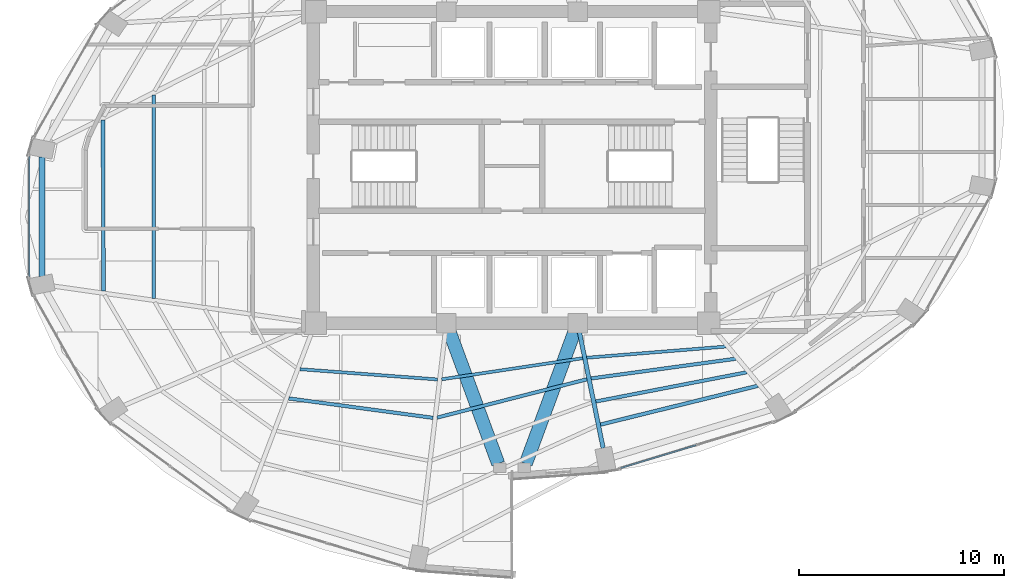
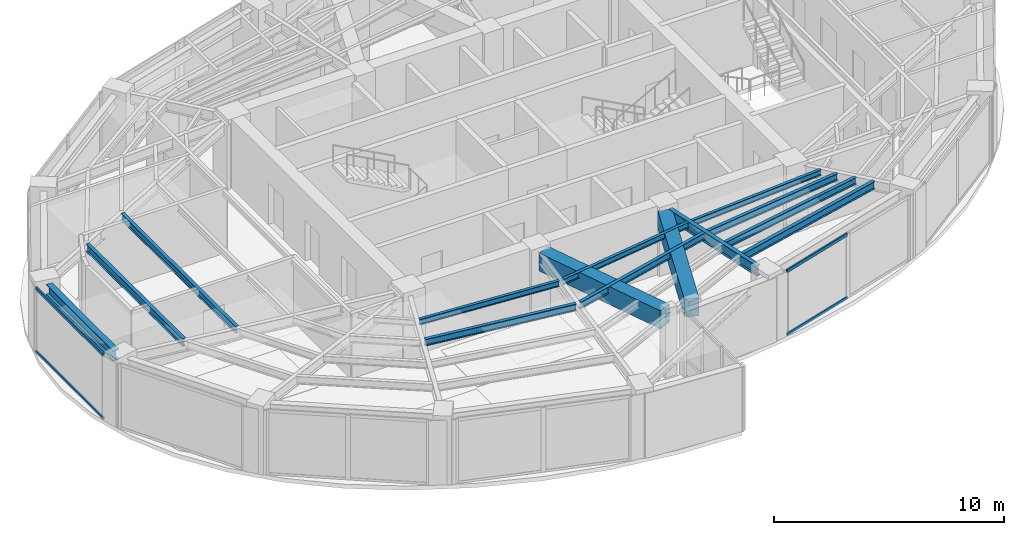
# One storey, part 5 of 20: 14 beams, 4 members, 2 elements without a shape of their own.
"""IFC4 building model written with IfcOpenShell, lengths in metres."""

from ifc_helpers import new_model, si_unit, direction, frame, origin, origin_2d, place, context, subcontext, project, spatial, rectangle, hollow_rectangle, i_section, extrude, material, layer, layer_set, material_profile, profile_set, type_object, element, aggregate, save


model = new_model("IFC4")

# Units and contexts
model_context = context("Model", 3, precision=1e-05, world=origin(), true_north=direction((0.0, 1.0)))
body_context = subcontext(model_context, "Body", "Model", "MODEL_VIEW")
ifc_project = project(units=[si_unit("LENGTHUNIT", "METRE"), si_unit("AREAUNIT", "SQUARE_METRE"), si_unit("VOLUMEUNIT", "CUBIC_METRE"), si_unit("PLANEANGLEUNIT", "RADIAN"), si_unit("MASSUNIT", "GRAM", prefix="KILO")], contexts=[model_context])

# Site, building, storey
site_placement = place(None, origin())
site = spatial("IfcSite", under=ifc_project, at=site_placement, CompositionType="ELEMENT")
building_placement = place(site_placement, origin())
building = spatial("IfcBuilding", under=site, at=building_placement, Name="Lazwardi Medical Tower", CompositionType="ELEMENT")
storey_placement = place(building_placement, frame((0.0, 0.0, 156.528076171875)))
storey = spatial("IfcBuildingStorey", under=building, at=storey_placement, Name="L40", CompositionType="ELEMENT", Elevation=156.528076171875)

# Beams
ifc_material_1 = material(Name="Concrete C60/75", Category="concrete")
ifc_material_profile_1 = material_profile(ifc_material_1, rectangle(XDim=0.64990234375, YDim=0.949951171875, at=origin_2d()), Name="RC 650x950")
ifc_profile_set_1 = profile_set([ifc_material_profile_1], Name="Concrete C60/75")
beam_type_1 = type_object("IfcBeamType", Name="BM-CB-RC2", PredefinedType="LINTEL", material=ifc_profile_set_1)
for number, where, z_axis, x_axis, name in (
    (1, (32.959228515625, 19.968505859375, 2.952880859375), (0.34601281054, -0.938229787921, 0.0), (0.938229787921, 0.34601281054, 0.0), "Core coupling lintel CB-02 PL3 L40"),
    (2, (39.040771484375, 19.968505859375, 2.952880859375), (-0.34601281054, -0.938229787921, 0.0), (0.938229787921, -0.34601281054, 0.0), "Core coupling lintel CB-02 PL4 L40"),
):
    element("IfcBeam", number, at=place(storey_placement, frame(where, z_axis=z_axis, x_axis=x_axis)), inside=storey, type_object=beam_type_1, Name=name, PredefinedType="LINTEL", context=body_context, shape_type="SweptSolid", body=[
        extrude(rectangle(XDim=0.64990234375, YDim=0.949951171875, at=origin_2d()), origin(), (0.0, 0.0, 1.0), 6.84423828125),
    ])
ifc_material_2 = material(Name="Steel S355", Category="steel")
ifc_material_profile_2 = material_profile(ifc_material_2, i_section(OverallWidth=0.300048828125, OverallDepth=0.550048828125, WebThickness=0.014892578125, FlangeThickness=0.029052734375, at=origin_2d()), Name="HEB 550")
ifc_profile_set_2 = profile_set([ifc_material_profile_2], Name="Steel S355")
beam_type_2 = type_object("IfcBeamType", Name="BM-RB-Z3", PredefinedType="BEAM", material=ifc_profile_set_2)
beam_1_placement = place(storey_placement, frame((13.07421875, 28.51171875, 3.15283203125), z_axis=(0.0, -1.0, 0.0), x_axis=(1.0, 0.0, 0.0)))
element("IfcBeam", 3, at=beam_1_placement, inside=storey, type_object=beam_type_2, Name="Ring beam RB-04 B12 L40", PredefinedType="BEAM", context=body_context, shape_type="SweptSolid", body=[
    extrude(i_section(OverallWidth=0.300048828125, OverallDepth=0.550048828125, WebThickness=0.014892578125, FlangeThickness=0.029052734375, at=origin_2d()), origin(), (0.0, 0.0, 1.0), 5.823486328125),
])
ifc_material_profile_3 = material_profile(ifc_material_2, i_section(OverallWidth=0.2099609375, OverallDepth=0.550048828125, WebThickness=0.010986328125, FlangeThickness=0.01708984375, at=origin_2d()), Name="IPE 550")
ifc_profile_set_3 = profile_set([ifc_material_profile_3], Name="Steel S355")
beam_type_3 = type_object("IfcBeamType", Name="BM-RG-W2", PredefinedType="BEAM", material=ifc_profile_set_3)
beam_2_placement = place(storey_placement, frame((40.447998046875, 14.2998046875, 3.15283203125), z_axis=(-0.200429485343, 0.979708130723, 0.0), x_axis=(-0.979708130723, -0.200429485343, 0.0)))
element("IfcBeam", 4, at=beam_2_placement, inside=storey, type_object=beam_type_3, Name="Radial girder RG-03 R01 L40", PredefinedType="BEAM", context=body_context, shape_type="SweptSolid", body=[
    extrude(i_section(OverallWidth=0.2099609375, OverallDepth=0.550048828125, WebThickness=0.010986328125, FlangeThickness=0.01708984375, at=origin_2d()), origin(), (0.0, 0.0, 1.0), 5.766357421875),
])
ifc_material_profile_4 = material_profile(ifc_material_2, i_section(OverallWidth=0.179931640625, OverallDepth=0.39990234375, WebThickness=0.008544921875, FlangeThickness=0.013427734375, at=origin_2d()), Name="IPE 400")
ifc_profile_set_4 = profile_set([ifc_material_profile_4], Name="Steel S355")
beam_type_4 = type_object("IfcBeamType", Name="BM-SJ-01", PredefinedType="JOIST", material=ifc_profile_set_4)
beam_3_placement = place(storey_placement, frame((40.31396484375, 15.45361328125, 3.22802734375), z_axis=(0.970912648168, 0.239433977597, 0.0), x_axis=(-0.239433977597, 0.970912648168, 0.0)))
element("IfcBeam", 5, at=beam_3_placement, inside=storey, type_object=beam_type_4, Name="Secondary joist SJ-01 R1 B01 L40", PredefinedType="JOIST", context=body_context, shape_type="SweptSolid", body=[
    extrude(i_section(OverallWidth=0.179931640625, OverallDepth=0.39990234375, WebThickness=0.008544921875, FlangeThickness=0.013427734375, at=origin_2d()), origin(), (0.0, 0.0, 1.0), 7.91162109375),
])
beam_4_placement = place(storey_placement, frame((16.04443359375, 30.30224609375, 3.22802734375), z_axis=(0.003864366017, -0.99999253331, 0.0), x_axis=(0.99999253331, 0.003864366017, 0.0)))
element("IfcBeam", 6, at=beam_4_placement, inside=storey, type_object=beam_type_4, Name="Secondary joist SJ-01 R1 B12 L40", PredefinedType="JOIST", context=body_context, shape_type="SweptSolid", body=[
    extrude(i_section(OverallWidth=0.179931640625, OverallDepth=0.39990234375, WebThickness=0.008544921875, FlangeThickness=0.013427734375, at=origin_2d()), origin(), (0.0, 0.0, 1.0), 8.33935546875),
])
ifc_material_profile_5 = material_profile(ifc_material_2, i_section(OverallWidth=0.169921875, OverallDepth=0.360107421875, WebThickness=0.008056640625, FlangeThickness=0.0126953125, at=origin_2d()), Name="IPE 360")
ifc_profile_set_5 = profile_set([ifc_material_profile_5], Name="Steel S355")
beam_type_5 = type_object("IfcBeamType", Name="BM-SJ-02", PredefinedType="JOIST", material=ifc_profile_set_5)
beam_5_placement = place(storey_placement, frame((40.083984375, 16.57861328125, 3.247802734375), z_axis=(0.981753035865, 0.190160396953, 0.0), x_axis=(-0.190160396953, 0.981753035865, 0.0)))
element("IfcBeam", 7, at=beam_5_placement, inside=storey, type_object=beam_type_5, Name="Secondary joist SJ-02 R2 B01 L40", PredefinedType="JOIST", context=body_context, shape_type="SweptSolid", body=[
    extrude(i_section(OverallWidth=0.169921875, OverallDepth=0.360107421875, WebThickness=0.008056640625, FlangeThickness=0.0126953125, at=origin_2d()), origin(), (0.0, 0.0, 1.0), 7.50927734375),
])
beam_6_placement = place(storey_placement, frame((18.513671875, 31.541748046875, 3.247802734375), z_axis=(0.001156040156, -0.999999331785, 0.0), x_axis=(0.999999331785, 0.001156040156, 0.0)))
element("IfcBeam", 8, at=beam_6_placement, inside=storey, type_object=beam_type_5, Name="Secondary joist SJ-02 R2 B12 L40", PredefinedType="JOIST", context=body_context, shape_type="SweptSolid", body=[
    extrude(i_section(OverallWidth=0.169921875, OverallDepth=0.360107421875, WebThickness=0.008056640625, FlangeThickness=0.0126953125, at=origin_2d()), origin(), (0.0, 0.0, 1.0), 9.92578125),
])
beam_7_placement = place(storey_placement, frame((39.853515625, 17.702880859375, 3.247802734375), z_axis=(0.990832043476, 0.135099450852, 0.0), x_axis=(-0.135099450852, 0.990832043476, 0.0)))
element("IfcBeam", 9, at=beam_7_placement, inside=storey, type_object=beam_type_5, Name="Secondary joist SJ-02 R3 B01 L40", PredefinedType="JOIST", context=body_context, shape_type="SweptSolid", body=[
    extrude(i_section(OverallWidth=0.169921875, OverallDepth=0.360107421875, WebThickness=0.008056640625, FlangeThickness=0.0126953125, at=origin_2d()), origin(), (0.0, 0.0, 1.0), 7.129150390625),
])
beam_8_placement = place(storey_placement, frame((25.110107421875, 16.730224609375, 3.247802734375), z_axis=(0.991056291961, -0.133444468468, 0.0), x_axis=(0.133444468468, 0.991056291961, 0.0)))
element("IfcBeam", 10, at=beam_8_placement, inside=storey, type_object=beam_type_5, Name="Secondary joist SJ-02 R3 B15 L40", PredefinedType="JOIST", context=body_context, shape_type="SweptSolid", body=[
    extrude(i_section(OverallWidth=0.169921875, OverallDepth=0.360107421875, WebThickness=0.008056640625, FlangeThickness=0.0126953125, at=origin_2d()), origin(), (0.0, 0.0, 1.0), 7.10400390625),
])
beam_9_placement = place(storey_placement, frame((32.3466796875, 15.793701171875, 3.247802734375), z_axis=(0.96877632572, 0.247936344097, 0.0), x_axis=(-0.247936344097, 0.96877632572, 0.0)))
element("IfcBeam", 11, at=beam_9_placement, inside=storey, type_object=beam_type_5, Name="Secondary joist SJ-02 R3 B16 L40", PredefinedType="JOIST", context=body_context, shape_type="SweptSolid", body=[
    extrude(i_section(OverallWidth=0.169921875, OverallDepth=0.360107421875, WebThickness=0.008056640625, FlangeThickness=0.0126953125, at=origin_2d()), origin(), (0.0, 0.0, 1.0), 7.546630859375),
])
ifc_material_profile_6 = material_profile(ifc_material_2, i_section(OverallWidth=0.14990234375, OverallDepth=0.300048828125, WebThickness=0.007080078125, FlangeThickness=0.0107421875, at=origin_2d()), Name="IPE 300")
ifc_profile_set_6 = profile_set([ifc_material_profile_6], Name="Steel S355")
beam_type_6 = type_object("IfcBeamType", Name="BM-SJ-03", PredefinedType="JOIST", material=ifc_profile_set_6)
beam_10_placement = place(storey_placement, frame((39.646240234375, 18.71435546875, 3.27783203125), z_axis=(0.996785792338, 0.08011294647, 0.0), x_axis=(-0.08011294647, 0.996785792338, 0.0)))
element("IfcBeam", 12, at=beam_10_placement, inside=storey, type_object=beam_type_6, Name="Secondary joist SJ-03 R4 B01 L40", PredefinedType="JOIST", context=body_context, shape_type="SweptSolid", body=[
    extrude(i_section(OverallWidth=0.14990234375, OverallDepth=0.300048828125, WebThickness=0.007080078125, FlangeThickness=0.0107421875, at=origin_2d()), origin(), (0.0, 0.0, 1.0), 6.80810546875),
])
beam_11_placement = place(storey_placement, frame((25.650390625, 18.156494140625, 3.27783203125), z_axis=(0.99722699261, -0.074419924822, 0.0), x_axis=(0.074419924822, 0.99722699261, 0.0)))
element("IfcBeam", 13, at=beam_11_placement, inside=storey, type_object=beam_type_6, Name="Secondary joist SJ-03 R4 B15 L40", PredefinedType="JOIST", context=body_context, shape_type="SweptSolid", body=[
    extrude(i_section(OverallWidth=0.14990234375, OverallDepth=0.300048828125, WebThickness=0.007080078125, FlangeThickness=0.0107421875, at=origin_2d()), origin(), (0.0, 0.0, 1.0), 6.74169921875),
])
beam_12_placement = place(storey_placement, frame((32.57177734375, 17.662109375, 3.27783203125), z_axis=(0.98897469849, 0.148084589835, 0.0), x_axis=(-0.148084589835, 0.98897469849, 0.0)))
element("IfcBeam", 14, at=beam_12_placement, inside=storey, type_object=beam_type_6, Name="Secondary joist SJ-03 R4 B16 L40", PredefinedType="JOIST", context=body_context, shape_type="SweptSolid", body=[
    extrude(i_section(OverallWidth=0.14990234375, OverallDepth=0.300048828125, WebThickness=0.007080078125, FlangeThickness=0.0107421875, at=origin_2d()), origin(), (0.0, 0.0, 1.0), 6.952392578125),
])

# Curtain wall, members
ifc_material_3 = material(Name="Anodised bronze aluminium and solar control glazing", Category="aluminium")
ifc_layer = layer(ifc_material_3, 0.195068359375)
ifc_layer_set = layer_set([ifc_layer], Name="Anodised bronze aluminium and solar control glazing")
curtain_wall_type = type_object("IfcCurtainWallType", Name="CW-SYS-03", PredefinedType="NOTDEFINED", material=ifc_layer_set)
curtain_wall_1_placement = place(storey_placement, origin())
curtain_wall_1 = element("IfcCurtainWall", 15, at=curtain_wall_1_placement, inside=storey, type_object=curtain_wall_type, Name="L40 Unitised bronze curtain wall CW-03", PredefinedType="NOTDEFINED")
ifc_material_4 = material(Name="Anodised bronze aluminium", Category="aluminium")
ifc_material_profile_7 = material_profile(ifc_material_4, hollow_rectangle(XDim=0.074951171875, YDim=0.159912109375, WallThickness=0.00390625, at=origin_2d()), Name="ALU-TRANSOM 160x75x4")
ifc_profile_set_7 = profile_set([ifc_material_profile_7], Name="Anodised bronze aluminium")
member_type = type_object("IfcMemberType", Name="CW-TRN-01", PredefinedType="USERDEFINED", material=ifc_profile_set_7)
member_1_placement = place(storey_placement, frame((41.307861328125, 13.336669921875, 0.037353515625), z_axis=(0.956935517424, 0.290300560612, 0.0), x_axis=(-0.290300560612, 0.956935517424, 0.0)))
member_1 = element("IfcMember", 16, at=member_1_placement, type_object=member_type, Name="CW-03 transom 1.1", ObjectType="TRANSOM", PredefinedType="USERDEFINED", context=body_context, shape_type="SweptSolid", body=[
    extrude(hollow_rectangle(XDim=0.074951171875, YDim=0.159912109375, WallThickness=0.00390625, at=origin_2d()), origin(), (0.0, 0.0, 1.0), 3.836669921875),
])
member_2_placement = place(storey_placement, frame((41.307861328125, 13.336669921875, 3.390380859375), z_axis=(0.956935517424, 0.290300560612, 0.0), x_axis=(-0.290300560612, 0.956935517424, 0.0)))
member_2 = element("IfcMember", 17, at=member_2_placement, type_object=member_type, Name="CW-03 transom 1.2", ObjectType="TRANSOM", PredefinedType="USERDEFINED", context=body_context, shape_type="SweptSolid", body=[
    extrude(hollow_rectangle(XDim=0.074951171875, YDim=0.159912109375, WallThickness=0.00390625, at=origin_2d()), origin(), (0.0, 0.0, 1.0), 3.836669921875),
])
aggregate(curtain_wall_1, [member_1, member_2])

curtain_wall_2_placement = place(storey_placement, origin())
curtain_wall_2 = element("IfcCurtainWall", 18, at=curtain_wall_2_placement, inside=storey, type_object=curtain_wall_type, Name="L40 Unitised bronze curtain wall CW-03", PredefinedType="NOTDEFINED")
member_3_placement = place(storey_placement, frame((12.4423828125, 28.5205078125, 0.037353515625), z_axis=(0.0, -1.0, 0.0), x_axis=(1.0, 0.0, 0.0)))
member_3 = element("IfcMember", 19, at=member_3_placement, type_object=member_type, Name="CW-03 transom 1.1", ObjectType="TRANSOM", PredefinedType="USERDEFINED", context=body_context, shape_type="SweptSolid", body=[
    extrude(hollow_rectangle(XDim=0.074951171875, YDim=0.159912109375, WallThickness=0.00390625, at=origin_2d()), origin(), (0.0, 0.0, 1.0), 5.8408203125),
])
member_4_placement = place(storey_placement, frame((12.4423828125, 28.5205078125, 3.390380859375), z_axis=(0.0, -1.0, 0.0), x_axis=(1.0, 0.0, 0.0)))
member_4 = element("IfcMember", 20, at=member_4_placement, type_object=member_type, Name="CW-03 transom 1.2", ObjectType="TRANSOM", PredefinedType="USERDEFINED", context=body_context, shape_type="SweptSolid", body=[
    extrude(hollow_rectangle(XDim=0.074951171875, YDim=0.159912109375, WallThickness=0.00390625, at=origin_2d()), origin(), (0.0, 0.0, 1.0), 5.8408203125),
])
aggregate(curtain_wall_2, [member_3, member_4])

save(model, "model.ifc")
